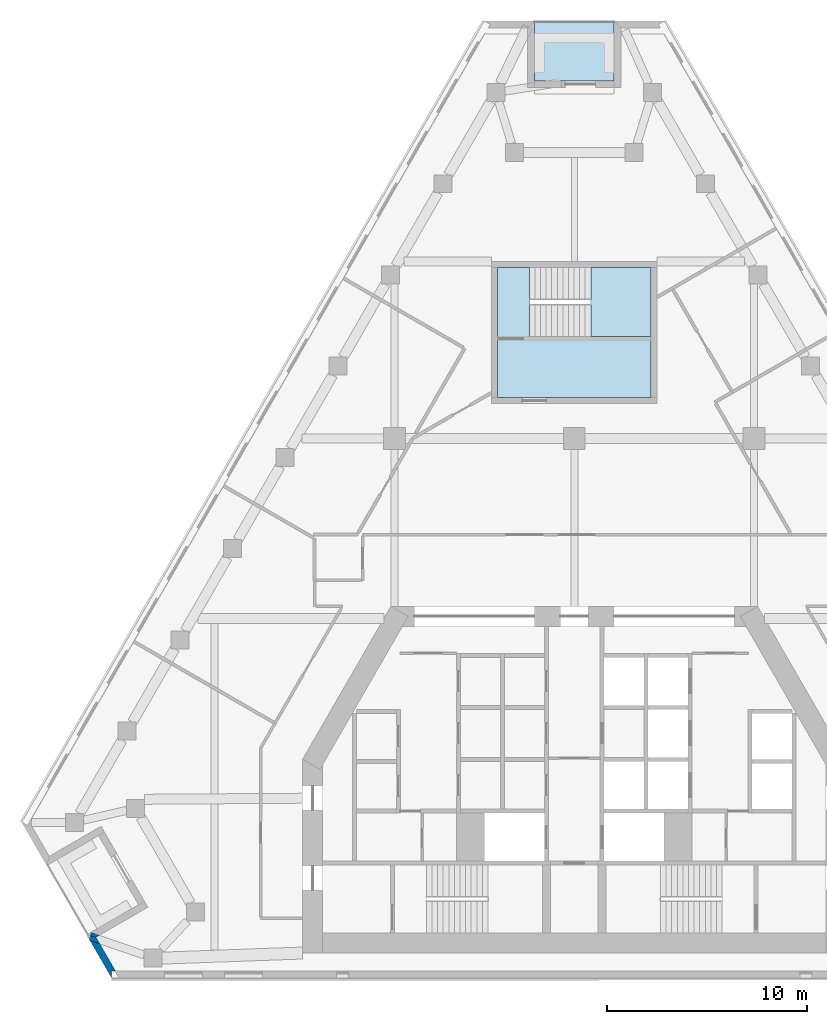
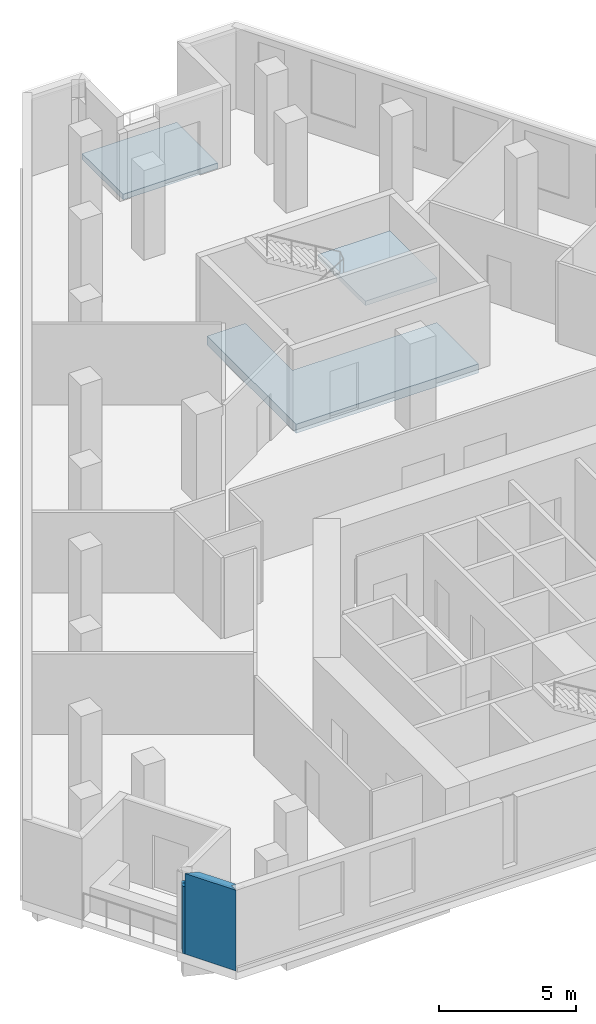
# One storey, part 2 of 9: 3 slabs, 3 walls, 1 element without a shape of its own.
"""IFC4 building model written with IfcOpenShell, lengths in metres."""

from ifc_helpers import new_model, si_unit, direction, frame, origin, place, context, subcontext, project, spatial, polyline, outline, extrude, material, layer, layer_set, type_object, element, aggregate, save


model = new_model("IFC4")

# Units and contexts
model_context = context("Model", 3, precision=1e-05, world=origin(), true_north=direction((0.0, 1.0)))
body_context = subcontext(model_context, "Body", "Model", "MODEL_VIEW")
ifc_project = project(units=[si_unit("LENGTHUNIT", "METRE"), si_unit("AREAUNIT", "SQUARE_METRE"), si_unit("VOLUMEUNIT", "CUBIC_METRE"), si_unit("PLANEANGLEUNIT", "RADIAN"), si_unit("MASSUNIT", "GRAM", prefix="KILO")], contexts=[model_context])

# Site, building, storey
site_placement = place(None, origin())
site = spatial("IfcSite", under=ifc_project, at=site_placement, CompositionType="ELEMENT")
building_placement = place(site_placement, origin())
building = spatial("IfcBuilding", under=site, at=building_placement, Name="Fogline Exchange Tower", CompositionType="ELEMENT")
storey_placement = place(building_placement, frame((0.0, 0.0, 202.10009765625)))
storey = spatial("IfcBuildingStorey", under=building, at=storey_placement, Name="L45", CompositionType="ELEMENT", Elevation=202.10009765625)

# Slabs
ifc_material_1 = material(Name="Concrete C40", Category="concrete")
ifc_layer_1 = layer(ifc_material_1, 0.25)
ifc_layer_set_1 = layer_set([ifc_layer_1], Name="DK1")
slab_type_1 = type_object("IfcSlabType", Name="DK1", PredefinedType="FLOOR", material=ifc_layer_set_1)
slab_1_placement = place(storey_placement, frame((0.0, 0.0, -0.25)))
element("IfcSlab", 1, at=slab_1_placement, inside=storey, type_object=slab_type_1, Name="Balcony L45 N", PredefinedType="FLOOR", context=body_context, shape_type="SweptSolid", body=[
    extrude(outline(polyline([(2.0, 47.90673828125), (-2.0, 47.90673828125), (-2.0, 44.90673828125), (2.0, 44.90673828125), (2.0, 47.90673828125)])), origin(), (0.0, 0.0, 1.0), 0.25),
])
ifc_layer_2 = layer(ifc_material_1, 0.39990234375)
ifc_layer_set_2 = layer_set([ifc_layer_2], Name="S03")
slab_type_2 = type_object("IfcSlabType", Name="S03", PredefinedType="FLOOR", material=ifc_layer_set_2)
slab_2_placement = place(storey_placement, frame((0.0, 0.0, -0.400146484375)))
element("IfcSlab", 2, at=slab_2_placement, inside=storey, type_object=slab_type_2, Name="Stair enclosure floor slab", PredefinedType="FLOOR", context=body_context, shape_type="SweptSolid", body=[
    extrude(outline(polyline([(3.85009765625, 29.056884765625), (-3.85009765625, 29.056884765625), (-3.85009765625, 35.556884765625), (-2.239990234375, 35.556884765625), (-2.239990234375, 32.10693359375), (3.85009765625, 32.10693359375), (3.85009765625, 29.056884765625)])), origin(), (0.0, 0.0, 1.0), 0.400146484375),
])

# Stair, slab
stair_type = type_object("IfcStairType", Name="STR24-1667", PredefinedType="HALF_TURN_STAIR", material=ifc_material_1)
stair_placement = place(storey_placement, origin())
stair = element("IfcStair", 3, at=stair_placement, inside=storey, type_object=stair_type, Name="Stair ST3", PredefinedType="HALF_TURN_STAIR")
ifc_layer_3 = layer(ifc_material_1, 0.199951171875)
ifc_layer_set_3 = layer_set([ifc_layer_3], Name="SL200")
slab_type_3 = type_object("IfcSlabType", Name="SL200", PredefinedType="LANDING", material=ifc_layer_set_3)
slab_3_placement = place(storey_placement, frame((0.0, 0.0, 1.7998046875)))
slab_3 = element("IfcSlab", 4, at=slab_3_placement, type_object=slab_type_3, Name="ST3 landing 1", PredefinedType="LANDING", context=body_context, shape_type="SweptSolid", body=[
    extrude(outline(polyline([(0.830078125, 32.10693359375), (3.85009765625, 32.10693359375), (3.85009765625, 35.556884765625), (0.830078125, 35.556884765625), (0.830078125, 32.10693359375)])), origin(), (0.0, 0.0, 1.0), 0.2001953125),
])
aggregate(stair, [slab_3])

# Walls
ifc_material_2 = material(Name="Brick masonry", Category="masonry")
ifc_layer_4 = layer(ifc_material_2, 0.340087890625)
ifc_layer_set_4 = layer_set([ifc_layer_4], Name="FW1")
wall_type = type_object("IfcWallType", Name="FW1", PredefinedType="SOLIDWALL", material=ifc_layer_set_4)
wall_1_placement = place(storey_placement, origin())
element("IfcWall", 5, at=wall_1_placement, inside=storey, type_object=wall_type, Name="Brick wall L45 SW-s2", PredefinedType="SOLIDWALL", context=body_context, shape_type="SweptSolid", body=[
    extrude(outline(polyline([(-23.9443359375, 2.0400390625), (-24.22900390625, 2.1162109375), (-24.17431640625, 2.274169921875), (-23.7763671875, 2.136962890625), (-23.9443359375, 2.0400390625)])), origin(), (0.0, 0.0, 1.0), 3.0),
])
wall_2_placement = place(storey_placement, origin())
element("IfcWall", 6, at=wall_2_placement, inside=storey, type_object=wall_type, Name="Brick wall L45 SW-c2", PredefinedType="SOLIDWALL", context=body_context, shape_type="SweptSolid", body=[
    extrude(outline(polyline([(-24.285888671875, 1.950927734375), (-24.228515625, 2.117431640625), (-23.944091796875, 2.041015625), (-23.75, 1.704833984375), (-24.24169921875, 1.87451171875), (-24.285888671875, 1.950927734375)])), origin(), (0.0, 0.0, 1.0), 3.0),
])
wall_3_placement = place(storey_placement, origin())
element("IfcWall", 7, at=wall_3_placement, inside=storey, type_object=wall_type, Name="Brick wall L45 SW-c2", PredefinedType="SOLIDWALL", context=body_context, shape_type="SweptSolid", body=[
    extrude(outline(polyline([(-23.158203125, 0.33935546875), (-23.158203125, -0.0009765625), (-23.158935546875, -0.001220703125), (-24.24169921875, 1.87451171875), (-23.75, 1.704833984375), (-22.961669921875, 0.33935546875), (-23.158203125, 0.33935546875)])), origin(), (0.0, 0.0, 1.0), 3.599853515625),
])

save(model, "model.ifc")
